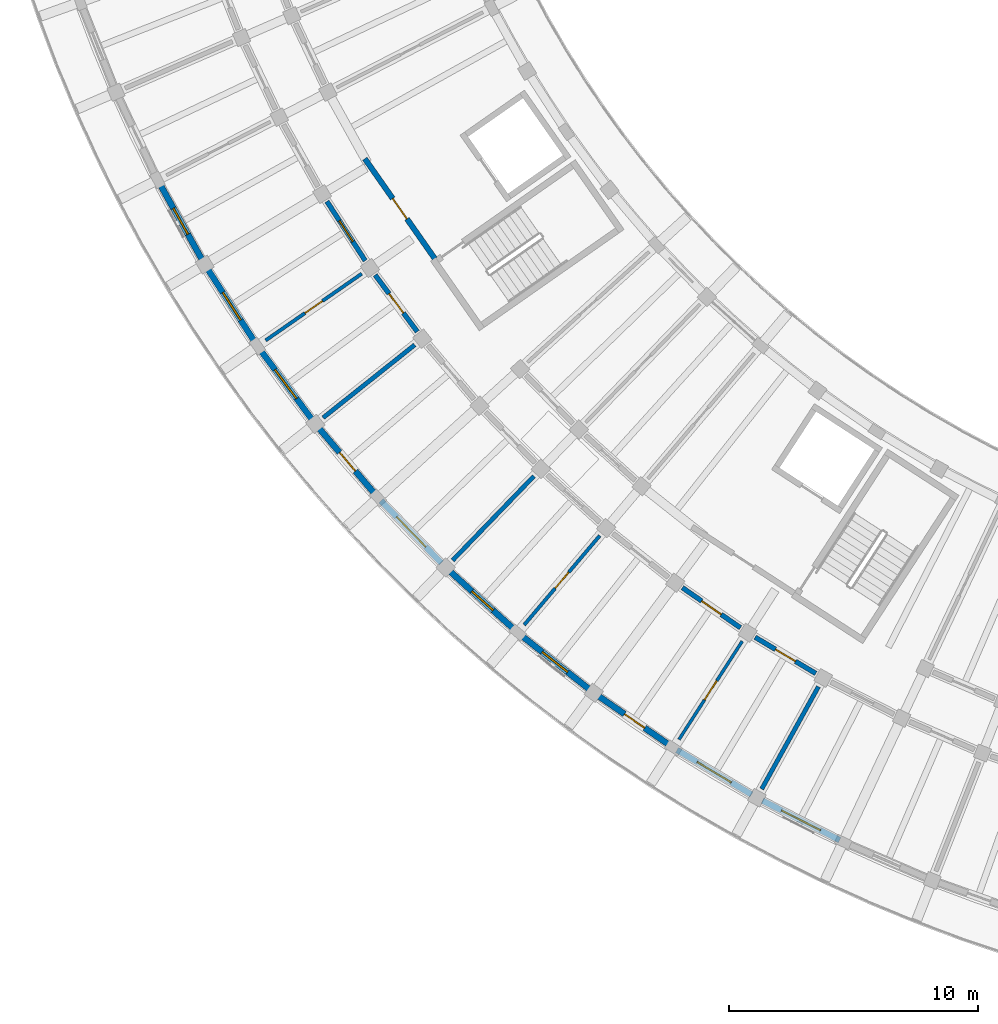
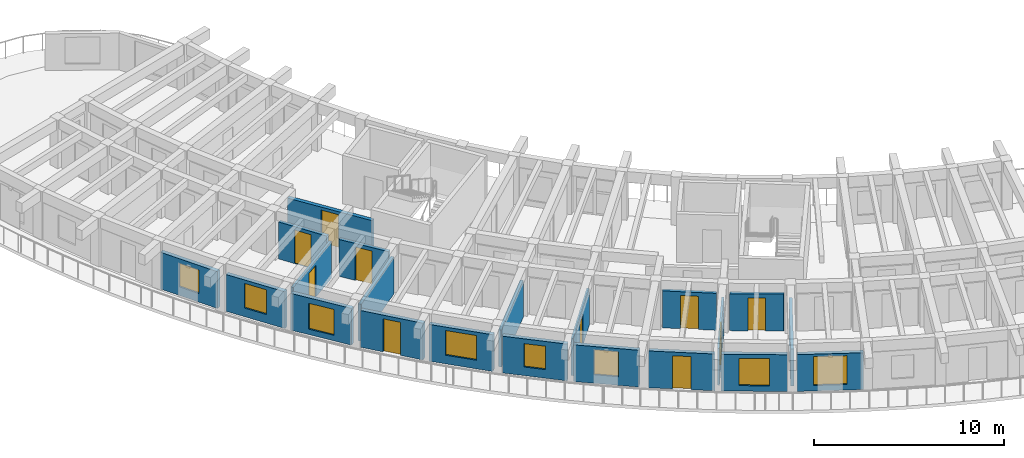
# One storey, part 40 of 81: 21 walls, 10 doors, 8 windows, 18 openings.
"""IFC4 building model written with IfcOpenShell, lengths in metres."""

from ifc_helpers import new_model, si_unit, direction, frame, frame_2d, origin, place, context, subcontext, project, spatial, rectangle, extrude, material, layer, layer_set, type_object, element, fill, save


model = new_model("IFC4")

# Units and contexts
model_context = context("Model", 3, precision=1e-05, world=origin(), true_north=direction((0.0, 1.0)))
body_context = subcontext(model_context, "Body", "Model", "MODEL_VIEW")
ifc_project = project(units=[si_unit("LENGTHUNIT", "METRE"), si_unit("AREAUNIT", "SQUARE_METRE"), si_unit("VOLUMEUNIT", "CUBIC_METRE"), si_unit("PLANEANGLEUNIT", "RADIAN"), si_unit("MASSUNIT", "GRAM", prefix="KILO")], contexts=[model_context])

# Site, building, storey
site_placement = place(None, origin())
site = spatial("IfcSite", under=ifc_project, at=site_placement, CompositionType="ELEMENT")
building_placement = place(site_placement, origin())
building = spatial("IfcBuilding", under=site, at=building_placement, Name="Tanwirah Colonnade Gardens", CompositionType="ELEMENT")
storey_placement = place(building_placement, frame((0.0, 0.0, 8.840087890625)))
storey = spatial("IfcBuildingStorey", under=building, at=storey_placement, Name="L02", CompositionType="ELEMENT", Elevation=8.840087890625)

# Wall, opening, window
ifc_material_1 = material(Name="Limestone architectural precast concrete C40/50", Category="masonry")
ifc_layer_1 = layer(ifc_material_1, 0.2451171875)
ifc_layer_set_1 = layer_set([ifc_layer_1], Name="Limestone architectural precast concrete C40/50")
wall_type_1 = type_object("IfcWallType", Name="EW-PC245", PredefinedType="SOLIDWALL", material=ifc_layer_set_1)
wall_1_placement = place(storey_placement, frame((12.136962890625, 37.09375, 0.0), z_axis=(0.0, 0.0, 1.0), x_axis=(0.486706738221, -0.87356542455, 0.0)))
wall_1 = element("IfcWall", 1, at=wall_1_placement, inside=storey, type_object=wall_type_1, Name="Block C L02 OUT Precast Facade Wall 3", PredefinedType="SOLIDWALL", context=body_context, shape_type="SweptSolid", body=[
    extrude(rectangle(XDim=3.48681640625, YDim=0.2451171875, at=frame_2d((1.743408203125, 0.0))), origin(), (0.0, 0.0, 1.0), 2.35498046875),
])
opening_1_placement = place(wall_1_placement, frame((1.143310546875, 0.0, 0.550048828125)))
opening_1 = element("IfcOpeningElement", 2, at=opening_1_placement, cuts=wall_1, Name="Opening WIN-U02", PredefinedType="OPENING", context=body_context, shape_type="SweptSolid", body=[
    extrude(rectangle(XDim=1.199951171875, YDim=1.510009765625, at=frame_2d((0.60009765625, 0.7548828125))), frame((0.0, 0.132568359375, 0.0), z_axis=(0.0, -1.0, 0.0), x_axis=(1.0, 0.0, 0.0)), (0.0, 0.0, 1.0), 0.26513671875),
])
ifc_material_2 = material(Name="Thermally broken bronze aluminium and solar low-E double glazing", Category="aluminium")
window_type_1 = type_object("IfcWindowType", Name="WIN-U02", PartitioningType="DOUBLE_PANEL_VERTICAL", PredefinedType="WINDOW", material=ifc_material_2)
window_1_placement = place(opening_1_placement, origin())
window_1 = element("IfcWindow", 3, at=window_1_placement, inside=storey, type_object=window_type_1, Name="Facade window C-L02-OUT-03", OverallHeight=1.510009765625, OverallWidth=1.199951171875, PartitioningType="SINGLE_PANEL", PredefinedType="WINDOW", context=body_context, shape_type="SweptSolid", body=[
    extrude(rectangle(XDim=1.199951171875, YDim=1.510009765625, at=frame_2d((0.60009765625, 0.7548828125))), frame((0.0, 0.030029296875, 0.0), z_axis=(0.0, -1.0, 0.0), x_axis=(1.0, 0.0, 0.0)), (0.0, 0.0, 1.0), 0.06005859375),
])
fill(opening_1, window_1)

wall_2_placement = place(storey_placement, frame((14.09130859375, 33.61962890625, 0.0), z_axis=(0.0, 0.0, 1.0), x_axis=(0.542833164741, -0.839840553472, 0.0)))
wall_2 = element("IfcWall", 4, at=wall_2_placement, inside=storey, type_object=wall_type_1, Name="Block C L02 OUT Precast Facade Wall 4", PredefinedType="SOLIDWALL", context=body_context, shape_type="SweptSolid", body=[
    extrude(rectangle(XDim=3.48681640625, YDim=0.2451171875, at=frame_2d((1.743408203125, 0.0))), origin(), (0.0, 0.0, 1.0), 2.35498046875),
])
opening_2_placement = place(wall_2_placement, frame((1.08349609375, 0.0, 0.550048828125)))
opening_2 = element("IfcOpeningElement", 5, at=opening_2_placement, cuts=wall_2, Name="Opening WIN-U05", PredefinedType="OPENING", context=body_context, shape_type="SweptSolid", body=[
    extrude(rectangle(XDim=1.320068359375, YDim=1.5849609375, at=frame_2d((0.66015625, 0.79248046875))), frame((0.0, 0.132568359375, 0.0), z_axis=(0.0, -1.0, 0.0), x_axis=(1.0, 0.0, 0.0)), (0.0, 0.0, 1.0), 0.26513671875),
])
window_type_2 = type_object("IfcWindowType", Name="WIN-U05", PartitioningType="DOUBLE_PANEL_VERTICAL", PredefinedType="WINDOW", material=ifc_material_2)
window_2_placement = place(opening_2_placement, origin())
window_2 = element("IfcWindow", 6, at=window_2_placement, inside=storey, type_object=window_type_2, Name="Facade window C-L02-OUT-04", OverallHeight=1.5849609375, OverallWidth=1.320068359375, PartitioningType="SINGLE_PANEL", PredefinedType="WINDOW", context=body_context, shape_type="SweptSolid", body=[
    extrude(rectangle(XDim=1.320068359375, YDim=1.5849609375, at=frame_2d((0.66015625, 0.79248046875))), frame((0.0, 0.030029296875, 0.0), z_axis=(0.0, -1.0, 0.0), x_axis=(1.0, 0.0, 0.0)), (0.0, 0.0, 1.0), 0.06005859375),
])
fill(opening_2, window_2)

wall_3_placement = place(storey_placement, frame((16.166259765625, 30.42822265625, 0.0), z_axis=(0.0, 0.0, 1.0), x_axis=(0.596611432616, -0.802530247699, 0.0)))
wall_3 = element("IfcWall", 7, at=wall_3_placement, inside=storey, type_object=wall_type_1, Name="Block C L02 OUT Precast Facade Wall 5", PredefinedType="SOLIDWALL", context=body_context, shape_type="SweptSolid", body=[
    extrude(rectangle(XDim=3.48681640625, YDim=0.2451171875, at=frame_2d((1.743408203125, 0.0))), origin(), (0.0, 0.0, 1.0), 2.35498046875),
])
opening_3_placement = place(wall_3_placement, frame((1.0234375, 0.0, 0.35009765625)))
opening_3 = element("IfcOpeningElement", 8, at=opening_3_placement, cuts=wall_3, Name="Opening WIN-U08", PredefinedType="OPENING", context=body_context, shape_type="SweptSolid", body=[
    extrude(rectangle(XDim=1.43994140625, YDim=1.659912109375, at=frame_2d((0.719970703125, 0.830078125))), frame((0.0, 0.132568359375, 0.0), z_axis=(0.0, -1.0, 0.0), x_axis=(1.0, 0.0, 0.0)), (0.0, 0.0, 1.0), 0.26513671875),
])
window_type_3 = type_object("IfcWindowType", Name="WIN-U08", PartitioningType="DOUBLE_PANEL_VERTICAL", PredefinedType="WINDOW", material=ifc_material_2)
window_3_placement = place(opening_3_placement, origin())
window_3 = element("IfcWindow", 9, at=window_3_placement, inside=storey, type_object=window_type_3, Name="Facade window C-L02-OUT-05", OverallHeight=1.659912109375, OverallWidth=1.43994140625, PartitioningType="SINGLE_PANEL", PredefinedType="WINDOW", context=body_context, shape_type="SweptSolid", body=[
    extrude(rectangle(XDim=1.43994140625, YDim=1.659912109375, at=frame_2d((0.719970703125, 0.830078125))), frame((0.0, 0.030029296875, 0.0), z_axis=(0.0, -1.0, 0.0), x_axis=(1.0, 0.0, 0.0)), (0.0, 0.0, 1.0), 0.06005859375),
])
fill(opening_3, window_3)

# Wall, opening, door
wall_4_placement = place(storey_placement, frame((18.5576171875, 27.23876953125, 0.0), z_axis=(0.0, 0.0, 1.0), x_axis=(0.647811002696, -0.761801092665, 0.0)))
wall_4 = element("IfcWall", 10, at=wall_4_placement, inside=storey, type_object=wall_type_1, Name="Block C L02 OUT Precast Facade Wall 6", PredefinedType="SOLIDWALL", context=body_context, shape_type="SweptSolid", body=[
    extrude(rectangle(XDim=3.48681640625, YDim=0.2451171875, at=frame_2d((1.743408203125, 0.0))), origin(), (0.0, 0.0, 1.0), 2.35498046875),
])
opening_4_placement = place(wall_4_placement, frame((1.25341796875, 0.0, 0.0)))
opening_4 = element("IfcOpeningElement", 11, at=opening_4_placement, cuts=wall_4, Name="Opening L02-ED134", PredefinedType="OPENING", context=body_context, shape_type="SweptSolid", body=[
    extrude(rectangle(XDim=0.97998046875, YDim=2.1201171875, at=frame_2d((0.489990234375, 1.06005859375))), frame((0.0, 0.132568359375, 0.0), z_axis=(0.0, -1.0, 0.0), x_axis=(1.0, 0.0, 0.0)), (0.0, 0.0, 1.0), 0.26513671875),
])
ifc_material_3 = material(Name="Bronze aluminium glazed balcony door", Category="aluminium")
door_type_1 = type_object("IfcDoorType", Name="ED-BAL098", OperationType="NOTDEFINED", PredefinedType="DOOR", material=ifc_material_3)
door_1_placement = place(opening_4_placement, origin())
door_1 = element("IfcDoor", 12, at=door_1_placement, inside=storey, type_object=door_type_1, Name="Balcony glazed door L02-ED134", OperationType="SINGLE_SWING_LEFT", OverallHeight=2.1201171875, OverallWidth=0.97998046875, PredefinedType="DOOR", context=body_context, shape_type="SweptSolid", body=[
    extrude(rectangle(XDim=0.97998046875, YDim=2.1201171875, at=frame_2d((0.489990234375, 1.06005859375))), frame((0.0, 0.02490234375, 0.0), z_axis=(0.0, -1.0, 0.0), x_axis=(1.0, 0.0, 0.0)), (0.0, 0.0, 1.0), 0.050048828125),
])
fill(opening_4, door_1)

# Wall, opening, window
wall_5_placement = place(storey_placement, frame((21.031494140625, 24.345703125, 0.0), z_axis=(0.0, 0.0, 1.0), x_axis=(0.696205978342, -0.717842068788, 0.0)))
wall_5 = element("IfcWall", 13, at=wall_5_placement, inside=storey, type_object=wall_type_1, Name="Block C L02 OUT Precast Facade Wall 7", PredefinedType="SOLIDWALL", context=body_context, shape_type="SweptSolid", body=[
    extrude(rectangle(XDim=3.48681640625, YDim=0.2451171875, at=frame_2d((1.743408203125, 0.0))), origin(), (0.0, 0.0, 1.0), 2.35498046875),
])
opening_5_placement = place(wall_5_placement, frame((0.9033203125, 0.0, 0.550048828125)))
opening_5 = element("IfcOpeningElement", 14, at=opening_5_placement, cuts=wall_5, Name="Opening WIN-U14", PredefinedType="OPENING", context=body_context, shape_type="SweptSolid", body=[
    extrude(rectangle(XDim=1.679931640625, YDim=1.5849609375, at=frame_2d((0.83984375, 0.79248046875))), frame((0.0, 0.132568359375, 0.0), z_axis=(0.0, -1.0, 0.0), x_axis=(1.0, 0.0, 0.0)), (0.0, 0.0, 1.0), 0.26513671875),
])
window_type_4 = type_object("IfcWindowType", Name="WIN-U14", PartitioningType="DOUBLE_PANEL_VERTICAL", PredefinedType="WINDOW", material=ifc_material_2)
window_4_placement = place(opening_5_placement, origin())
window_4 = element("IfcWindow", 15, at=window_4_placement, inside=storey, type_object=window_type_4, Name="Facade window C-L02-OUT-07", OverallHeight=1.5849609375, OverallWidth=1.679931640625, PartitioningType="SINGLE_PANEL", PredefinedType="WINDOW", context=body_context, shape_type="SweptSolid", body=[
    extrude(rectangle(XDim=1.679931640625, YDim=1.5849609375, at=frame_2d((0.83984375, 0.79248046875))), frame((0.0, 0.030029296875, 0.0), z_axis=(0.0, -1.0, 0.0), x_axis=(1.0, 0.0, 0.0)), (0.0, 0.0, 1.0), 0.06005859375),
])
fill(opening_5, window_4)

wall_6_placement = place(storey_placement, frame((23.818603515625, 21.49560546875, 0.0), z_axis=(0.0, 0.0, 1.0), x_axis=(0.741648568445, -0.670788641022, 0.0)))
wall_6 = element("IfcWall", 16, at=wall_6_placement, inside=storey, type_object=wall_type_1, Name="Block C L02 OUT Precast Facade Wall 8", PredefinedType="SOLIDWALL", context=body_context, shape_type="SweptSolid", body=[
    extrude(rectangle(XDim=3.48681640625, YDim=0.2451171875, at=frame_2d((1.743408203125, 0.0))), origin(), (0.0, 0.0, 1.0), 2.35498046875),
])
opening_6_placement = place(wall_6_placement, frame((1.16845703125, 0.0, 0.550048828125)))
opening_6 = element("IfcOpeningElement", 17, at=opening_6_placement, cuts=wall_6, Name="Opening WIN-T01", PredefinedType="OPENING", context=body_context, shape_type="SweptSolid", body=[
    extrude(rectangle(XDim=1.14990234375, YDim=1.5, at=frame_2d((0.574951171875, 0.75))), frame((0.0, 0.132568359375, 0.0), z_axis=(0.0, -1.0, 0.0), x_axis=(1.0, 0.0, 0.0)), (0.0, 0.0, 1.0), 0.26513671875),
])
window_type_5 = type_object("IfcWindowType", Name="WIN-T01", PartitioningType="SINGLE_PANEL", PredefinedType="WINDOW", material=ifc_material_2)
window_5_placement = place(opening_6_placement, origin())
window_5 = element("IfcWindow", 18, at=window_5_placement, inside=storey, type_object=window_type_5, Name="Facade window C-L02-OUT-08", OverallHeight=1.5, OverallWidth=1.14990234375, PartitioningType="SINGLE_PANEL", PredefinedType="WINDOW", context=body_context, shape_type="SweptSolid", body=[
    extrude(rectangle(XDim=1.14990234375, YDim=1.5, at=frame_2d((0.574951171875, 0.75))), frame((0.0, 0.030029296875, 0.0), z_axis=(0.0, -1.0, 0.0), x_axis=(1.0, 0.0, 0.0)), (0.0, 0.0, 1.0), 0.06005859375),
])
fill(opening_6, window_5)

wall_7_placement = place(storey_placement, frame((26.648681640625, 18.9501953125, 0.0), z_axis=(0.0, 0.0, 1.0), x_axis=(0.78398760997, -0.620776471376, 0.0)))
wall_7 = element("IfcWall", 19, at=wall_7_placement, inside=storey, type_object=wall_type_1, Name="Block C L02 OUT Precast Facade Wall 9", PredefinedType="SOLIDWALL", context=body_context, shape_type="SweptSolid", body=[
    extrude(rectangle(XDim=3.48681640625, YDim=0.2451171875, at=frame_2d((1.743408203125, 0.0))), origin(), (0.0, 0.0, 1.0), 2.35498046875),
])
opening_7_placement = place(wall_7_placement, frame((1.093505859375, 0.0, 0.550048828125)))
opening_7 = element("IfcOpeningElement", 20, at=opening_7_placement, cuts=wall_7, Name="Opening WIN-T04", PredefinedType="OPENING", context=body_context, shape_type="SweptSolid", body=[
    extrude(rectangle(XDim=1.300048828125, YDim=1.60009765625, at=frame_2d((0.64990234375, 0.800048828125))), frame((0.0, 0.132568359375, 0.0), z_axis=(0.0, -1.0, 0.0), x_axis=(1.0, 0.0, 0.0)), (0.0, 0.0, 1.0), 0.26513671875),
])
window_type_6 = type_object("IfcWindowType", Name="WIN-T04", PartitioningType="DOUBLE_PANEL_VERTICAL", PredefinedType="WINDOW", material=ifc_material_2)
window_6_placement = place(opening_7_placement, origin())
window_6 = element("IfcWindow", 21, at=window_6_placement, inside=storey, type_object=window_type_6, Name="Facade window C-L02-OUT-09", OverallHeight=1.60009765625, OverallWidth=1.300048828125, PartitioningType="SINGLE_PANEL", PredefinedType="WINDOW", context=body_context, shape_type="SweptSolid", body=[
    extrude(rectangle(XDim=1.300048828125, YDim=1.60009765625, at=frame_2d((0.64990234375, 0.800048828125))), frame((0.0, 0.030029296875, 0.0), z_axis=(0.0, -1.0, 0.0), x_axis=(1.0, 0.0, 0.0)), (0.0, 0.0, 1.0), 0.06005859375),
])
fill(opening_7, window_6)

# Wall, opening, door
wall_8_placement = place(storey_placement, frame((29.783935546875, 16.48828125, 0.0), z_axis=(0.0, 0.0, 1.0), x_axis=(0.822902356734, -0.568182815017, 0.0)))
wall_8 = element("IfcWall", 22, at=wall_8_placement, inside=storey, type_object=wall_type_1, Name="Block C L02 OUT Precast Facade Wall 10", PredefinedType="SOLIDWALL", context=body_context, shape_type="SweptSolid", body=[
    extrude(rectangle(XDim=3.48681640625, YDim=0.2451171875, at=frame_2d((1.743408203125, 0.0))), origin(), (0.0, 0.0, 1.0), 2.35498046875),
])
opening_8_placement = place(wall_8_placement, frame((1.25341796875, 0.0, 0.0)))
opening_8 = element("IfcOpeningElement", 23, at=opening_8_placement, cuts=wall_8, Name="Opening L02-ED135", PredefinedType="OPENING", context=body_context, shape_type="SweptSolid", body=[
    extrude(rectangle(XDim=0.97998046875, YDim=2.1201171875, at=frame_2d((0.489990234375, 1.06005859375))), frame((0.0, 0.132568359375, 0.0), z_axis=(0.0, -1.0, 0.0), x_axis=(1.0, 0.0, 0.0)), (0.0, 0.0, 1.0), 0.26513671875),
])
door_2_placement = place(opening_8_placement, origin())
door_2 = element("IfcDoor", 24, at=door_2_placement, inside=storey, type_object=door_type_1, Name="Balcony glazed door L02-ED135", OperationType="SINGLE_SWING_LEFT", OverallHeight=2.1201171875, OverallWidth=0.97998046875, PredefinedType="DOOR", context=body_context, shape_type="SweptSolid", body=[
    extrude(rectangle(XDim=0.97998046875, YDim=2.1201171875, at=frame_2d((0.489990234375, 1.06005859375))), frame((0.0, 0.02490234375, 0.0), z_axis=(0.0, -1.0, 0.0), x_axis=(1.0, 0.0, 0.0)), (0.0, 0.0, 1.0), 0.050048828125),
])
fill(opening_8, door_2)

# Wall, opening, window
wall_9_placement = place(storey_placement, frame((32.92236328125, 14.333984375, 0.0), z_axis=(0.0, 0.0, 1.0), x_axis=(0.858288874148, -0.513166842766, 0.0)))
wall_9 = element("IfcWall", 25, at=wall_9_placement, inside=storey, type_object=wall_type_1, Name="Block C L02 OUT Precast Facade Wall 11", PredefinedType="SOLIDWALL", context=body_context, shape_type="SweptSolid", body=[
    extrude(rectangle(XDim=3.48681640625, YDim=0.2451171875, at=frame_2d((1.743408203125, 0.0))), origin(), (0.0, 0.0, 1.0), 2.35498046875),
])
opening_9_placement = place(wall_9_placement, frame((0.943359375, 0.0, 0.35009765625)))
opening_9 = element("IfcOpeningElement", 26, at=opening_9_placement, cuts=wall_9, Name="Opening WIN-T10", PredefinedType="OPENING", context=body_context, shape_type="SweptSolid", body=[
    extrude(rectangle(XDim=1.60009765625, YDim=1.75, at=frame_2d((0.800048828125, 0.875))), frame((0.0, 0.132568359375, 0.0), z_axis=(0.0, -1.0, 0.0), x_axis=(1.0, 0.0, 0.0)), (0.0, 0.0, 1.0), 0.26513671875),
])
window_type_7 = type_object("IfcWindowType", Name="WIN-T10", PartitioningType="DOUBLE_PANEL_VERTICAL", PredefinedType="WINDOW", material=ifc_material_2)
window_7_placement = place(opening_9_placement, origin())
window_7 = element("IfcWindow", 27, at=window_7_placement, inside=storey, type_object=window_type_7, Name="Facade window C-L02-OUT-11", OverallHeight=1.75, OverallWidth=1.60009765625, PartitioningType="SINGLE_PANEL", PredefinedType="WINDOW", context=body_context, shape_type="SweptSolid", body=[
    extrude(rectangle(XDim=1.60009765625, YDim=1.75, at=frame_2d((0.800048828125, 0.875))), frame((0.0, 0.030029296875, 0.0), z_axis=(0.0, -1.0, 0.0), x_axis=(1.0, 0.0, 0.0)), (0.0, 0.0, 1.0), 0.06005859375),
])
fill(opening_9, window_7)

wall_10_placement = place(storey_placement, frame((36.35205078125, 12.302490234375, 0.0), z_axis=(0.0, 0.0, 1.0), x_axis=(0.890001092753, -0.45595839163, 0.0)))
wall_10 = element("IfcWall", 28, at=wall_10_placement, inside=storey, type_object=wall_type_1, Name="Block C L02 OUT Precast Facade Wall 12", PredefinedType="SOLIDWALL", context=body_context, shape_type="SweptSolid", body=[
    extrude(rectangle(XDim=3.48681640625, YDim=0.2451171875, at=frame_2d((1.743408203125, 0.0))), origin(), (0.0, 0.0, 1.0), 2.35498046875),
])
opening_10_placement = place(wall_10_placement, frame((0.868408203125, 0.0, 0.35009765625)))
opening_10 = element("IfcOpeningElement", 29, at=opening_10_placement, cuts=wall_10, Name="Opening WIN-T13", PredefinedType="OPENING", context=body_context, shape_type="SweptSolid", body=[
    extrude(rectangle(XDim=1.75, YDim=1.85009765625, at=frame_2d((0.875, 0.925048828125))), frame((0.0, 0.132568359375, 0.0), z_axis=(0.0, -1.0, 0.0), x_axis=(1.0, 0.0, 0.0)), (0.0, 0.0, 1.0), 0.26513671875),
])
window_type_8 = type_object("IfcWindowType", Name="WIN-T13", PartitioningType="TRIPLE_PANEL_VERTICAL", PredefinedType="WINDOW", material=ifc_material_2)
window_8_placement = place(opening_10_placement, origin())
window_8 = element("IfcWindow", 30, at=window_8_placement, inside=storey, type_object=window_type_8, Name="Facade window C-L02-OUT-12", OverallHeight=1.85009765625, OverallWidth=1.75, PartitioningType="SINGLE_PANEL", PredefinedType="WINDOW", context=body_context, shape_type="SweptSolid", body=[
    extrude(rectangle(XDim=1.75, YDim=1.85009765625, at=frame_2d((0.875, 0.925048828125))), frame((0.0, 0.030029296875, 0.0), z_axis=(0.0, -1.0, 0.0), x_axis=(1.0, 0.0, 0.0)), (0.0, 0.0, 1.0), 0.06005859375),
])
fill(opening_10, window_8)

# Wall, opening, door
ifc_material_4 = material(Name="Precast concrete C40/50", Category="concrete")
ifc_layer_2 = layer(ifc_material_4, 0.195068359375)
ifc_layer_set_2 = layer_set([ifc_layer_2], Name="Precast concrete C40/50")
wall_type_2 = type_object("IfcWallType", Name="IW-CORR195", PredefinedType="PARTITIONING", material=ifc_layer_set_2)
wall_11_placement = place(storey_placement, frame((18.860107421875, 36.3681640625, 0.0), z_axis=(0.0, 0.0, 1.0), x_axis=(0.542787304957, -0.83987019329, 0.0)))
wall_11 = element("IfcWall", 31, at=wall_11_placement, inside=storey, type_object=wall_type_2, Name="Block C L02 OUT Corridor Wall 4", PredefinedType="PARTITIONING", context=body_context, shape_type="SweptSolid", body=[
    extrude(rectangle(XDim=2.8369140625, YDim=0.195068359375, at=frame_2d((1.41845703125, 0.0))), origin(), (0.0, 0.0, 1.0), 2.369873046875),
])
opening_11_placement = place(wall_11_placement, frame((0.923583984375, 0.0, 0.0)))
opening_11 = element("IfcOpeningElement", 32, at=opening_11_placement, cuts=wall_11, Name="Opening L02-AD1363", PredefinedType="OPENING", context=body_context, shape_type="SweptSolid", body=[
    extrude(rectangle(XDim=0.989990234375, YDim=2.159912109375, at=frame_2d((0.4951171875, 1.080078125))), frame((0.0, 0.107421875, 0.0), z_axis=(0.0, -1.0, 0.0), x_axis=(1.0, 0.0, 0.0)), (0.0, 0.0, 1.0), 0.215087890625),
])
ifc_material_5 = material(Name="Solid oak fire-resisting apartment entrance door")
door_type_2 = type_object("IfcDoorType", Name="ID-FLT099", OperationType="NOTDEFINED", PredefinedType="DOOR", material=ifc_material_5)
door_3_placement = place(opening_11_placement, origin())
door_3 = element("IfcDoor", 33, at=door_3_placement, inside=storey, type_object=door_type_2, Name="Apartment corridor door L02-AD1363", OperationType="SINGLE_SWING_LEFT", OverallHeight=2.159912109375, OverallWidth=0.989990234375, PredefinedType="DOOR", context=body_context, shape_type="SweptSolid", body=[
    extrude(rectangle(XDim=0.989990234375, YDim=2.159912109375, at=frame_2d((0.4951171875, 1.080078125))), frame((0.0, 0.02490234375, 0.0), z_axis=(0.0, -1.0, 0.0), x_axis=(1.0, 0.0, 0.0)), (0.0, 0.0, 1.0), 0.050048828125),
])
fill(opening_11, door_3)

wall_12_placement = place(storey_placement, frame((20.798828125, 33.410888671875, 0.0), z_axis=(0.0, 0.0, 1.0), x_axis=(0.596552136601, -0.802574325727, 0.0)))
wall_12 = element("IfcWall", 34, at=wall_12_placement, inside=storey, type_object=wall_type_2, Name="Block C L02 OUT Corridor Wall 5", PredefinedType="PARTITIONING", context=body_context, shape_type="SweptSolid", body=[
    extrude(rectangle(XDim=2.8369140625, YDim=0.195068359375, at=frame_2d((1.41845703125, 0.0))), origin(), (0.0, 0.0, 1.0), 2.369873046875),
])
opening_12_placement = place(wall_12_placement, frame((0.93359375, 0.0, 0.0)))
opening_12 = element("IfcOpeningElement", 35, at=opening_12_placement, cuts=wall_12, Name="Opening L02-AD1365", PredefinedType="OPENING", context=body_context, shape_type="SweptSolid", body=[
    extrude(rectangle(XDim=0.969970703125, YDim=2.14990234375, at=frame_2d((0.48486328125, 1.074951171875))), frame((0.0, 0.107421875, 0.0), z_axis=(0.0, -1.0, 0.0), x_axis=(1.0, 0.0, 0.0)), (0.0, 0.0, 1.0), 0.215087890625),
])
door_type_3 = type_object("IfcDoorType", Name="ID-FLT097", OperationType="NOTDEFINED", PredefinedType="DOOR", material=ifc_material_5)
door_4_placement = place(opening_12_placement, origin())
door_4 = element("IfcDoor", 36, at=door_4_placement, inside=storey, type_object=door_type_3, Name="Apartment corridor door L02-AD1365", OperationType="SINGLE_SWING_RIGHT", OverallHeight=2.14990234375, OverallWidth=0.969970703125, PredefinedType="DOOR", context=body_context, shape_type="SweptSolid", body=[
    extrude(rectangle(XDim=0.969970703125, YDim=2.14990234375, at=frame_2d((0.48486328125, 1.074951171875))), frame((0.0, 0.02490234375, 0.0), z_axis=(0.0, -1.0, 0.0), x_axis=(1.0, 0.0, 0.0)), (0.0, 0.0, 1.0), 0.050048828125),
])
fill(opening_12, door_4)

wall_13_placement = place(storey_placement, frame((33.137939453125, 20.852783203125, 0.0), z_axis=(0.0, 0.0, 1.0), x_axis=(0.822870075235, -0.568229565653, 0.0)))
wall_13 = element("IfcWall", 37, at=wall_13_placement, inside=storey, type_object=wall_type_2, Name="Block C L02 OUT Corridor Wall 10", PredefinedType="PARTITIONING", context=body_context, shape_type="SweptSolid", body=[
    extrude(rectangle(XDim=2.8369140625, YDim=0.195068359375, at=frame_2d((1.41845703125, 0.0))), origin(), (0.0, 0.0, 1.0), 2.369873046875),
])
opening_13_placement = place(wall_13_placement, frame((0.943603515625, 0.0, 0.0)))
opening_13 = element("IfcOpeningElement", 38, at=opening_13_placement, cuts=wall_13, Name="Opening L02-AD1376", PredefinedType="OPENING", context=body_context, shape_type="SweptSolid", body=[
    extrude(rectangle(XDim=0.949951171875, YDim=2.1298828125, at=frame_2d((0.47509765625, 1.06494140625))), frame((0.0, 0.107421875, 0.0), z_axis=(0.0, -1.0, 0.0), x_axis=(1.0, 0.0, 0.0)), (0.0, 0.0, 1.0), 0.215087890625),
])
door_type_4 = type_object("IfcDoorType", Name="ID-FLT095", OperationType="NOTDEFINED", PredefinedType="DOOR", material=ifc_material_5)
door_5_placement = place(opening_13_placement, origin())
door_5 = element("IfcDoor", 39, at=door_5_placement, inside=storey, type_object=door_type_4, Name="Apartment corridor door L02-AD1376", OperationType="SINGLE_SWING_LEFT", OverallHeight=2.1298828125, OverallWidth=0.949951171875, PredefinedType="DOOR", context=body_context, shape_type="SweptSolid", body=[
    extrude(rectangle(XDim=0.949951171875, YDim=2.1298828125, at=frame_2d((0.47509765625, 1.06494140625))), frame((0.0, 0.02490234375, 0.0), z_axis=(0.0, -1.0, 0.0), x_axis=(1.0, 0.0, 0.0)), (0.0, 0.0, 1.0), 0.050048828125),
])
fill(opening_13, door_5)

wall_14_placement = place(storey_placement, frame((36.060791015625, 18.8623046875, 0.0), z_axis=(0.0, 0.0, 1.0), x_axis=(0.858281647443, -0.51317892948, 0.0)))
wall_14 = element("IfcWall", 40, at=wall_14_placement, inside=storey, type_object=wall_type_2, Name="Block C L02 OUT Corridor Wall 11", PredefinedType="PARTITIONING", context=body_context, shape_type="SweptSolid", body=[
    extrude(rectangle(XDim=2.8369140625, YDim=0.195068359375, at=frame_2d((1.41845703125, 0.0))), origin(), (0.0, 0.0, 1.0), 2.369873046875),
])
opening_14_placement = place(wall_14_placement, frame((0.95361328125, 0.0, 0.0)))
opening_14 = element("IfcOpeningElement", 41, at=opening_14_placement, cuts=wall_14, Name="Opening L02-AD1378", PredefinedType="OPENING", context=body_context, shape_type="SweptSolid", body=[
    extrude(rectangle(XDim=0.929931640625, YDim=2.1201171875, at=frame_2d((0.46484375, 1.06005859375))), frame((0.0, 0.107421875, 0.0), z_axis=(0.0, -1.0, 0.0), x_axis=(1.0, 0.0, 0.0)), (0.0, 0.0, 1.0), 0.215087890625),
])
door_type_5 = type_object("IfcDoorType", Name="ID-FLT093", OperationType="NOTDEFINED", PredefinedType="DOOR", material=ifc_material_5)
door_6_placement = place(opening_14_placement, origin())
door_6 = element("IfcDoor", 42, at=door_6_placement, inside=storey, type_object=door_type_5, Name="Apartment corridor door L02-AD1378", OperationType="SINGLE_SWING_RIGHT", OverallHeight=2.1201171875, OverallWidth=0.929931640625, PredefinedType="DOOR", context=body_context, shape_type="SweptSolid", body=[
    extrude(rectangle(XDim=0.929931640625, YDim=2.1201171875, at=frame_2d((0.46484375, 1.06005859375))), frame((0.0, 0.02490234375, 0.0), z_axis=(0.0, -1.0, 0.0), x_axis=(1.0, 0.0, 0.0)), (0.0, 0.0, 1.0), 0.050048828125),
])
fill(opening_14, door_6)

# Walls
ifc_layer_3 = layer(ifc_material_4, 0.175048828125)
ifc_layer_set_3 = layer_set([ifc_layer_3], Name="Precast concrete C40/50")
wall_type_3 = type_object("IfcWallType", Name="IW-DEM175", PredefinedType="PARTITIONING", material=ifc_layer_set_3)
for number, where, z_axis, x_axis, name in (
    (43, (22.386962890625, 30.60400390625, 0.0), (0.0, 0.0, 1.0), (-0.782609106384, -0.622513442911, 0.0), "Block C L02 Radial Partition 5"),
    (44, (27.17578125, 25.33203125, 0.0), (0.0, 0.0, 1.0), (-0.69466218314, -0.719336118456, 0.0), "Block C L02 Radial Partition 7"),
    (45, (38.60205078125, 16.876953125, 0.0), (0.0, 0.0, 1.0), (-0.484813534336, -0.874617537513, 0.0), "Block C L02 Radial Partition 11"),
):
    element("IfcWall", number, at=place(storey_placement, frame(where, z_axis=z_axis, x_axis=x_axis)), inside=storey, type_object=wall_type_3, Name=name, PredefinedType="PARTITIONING", context=body_context, shape_type="SweptSolid", body=[
        extrude(rectangle(XDim=4.699951171875, YDim=0.175048828125, at=frame_2d((2.35009765625, 0.0))), origin(), (0.0, 0.0, 1.0), 2.369873046875),
    ])

# Wall, opening, door
ifc_material_6 = material(Name="Autoclaved aerated masonry blockwork", Category="masonry")
ifc_layer_4 = layer(ifc_material_6, 0.219970703125)
ifc_layer_set_4 = layer_set([ifc_layer_4], Name="Autoclaved aerated masonry blockwork")
wall_type_4 = type_object("IfcWallType", Name="IW-FFL220", PredefinedType="PARTITIONING", material=ifc_layer_set_4)
wall_15_placement = place(storey_placement, frame((23.19482421875, 34.06787109375, 0.0), z_axis=(0.0, 0.0, 1.0), x_axis=(-0.573572687386, 0.819154669329, 0.0)))
wall_15 = element("IfcWall", 46, at=wall_15_placement, inside=storey, type_object=wall_type_4, Name="CORE-C1 L02 Enclosed Lobby Fire Wall", PredefinedType="PARTITIONING", context=body_context, shape_type="SweptSolid", body=[
    extrude(rectangle(XDim=4.900146484375, YDim=0.219970703125, at=frame_2d((2.4501953125, 0.0))), origin(), (0.0, 0.0, 1.0), 2.33984375),
])
opening_15_placement = place(wall_15_placement, frame((1.949951171875, 0.0, 0.0)))
opening_15 = element("IfcOpeningElement", 47, at=opening_15_placement, cuts=wall_15, Name="Opening L02-LD136", PredefinedType="OPENING", context=body_context, shape_type="SweptSolid", body=[
    extrude(rectangle(XDim=1.0, YDim=2.14990234375, at=frame_2d((0.5, 1.074951171875))), frame((0.0, 0.119873046875, 0.0), z_axis=(0.0, -1.0, 0.0), x_axis=(1.0, 0.0, 0.0)), (0.0, 0.0, 1.0), 0.239990234375),
])
ifc_material_7 = material(Name="Acoustic fire-resisting lobby door")
door_type_6 = type_object("IfcDoorType", Name="ID-FFL100", OperationType="NOTDEFINED", PredefinedType="DOOR", material=ifc_material_7)
door_7_placement = place(opening_15_placement, origin())
door_7 = element("IfcDoor", 48, at=door_7_placement, inside=storey, type_object=door_type_6, Name="CORE-C1 L02 Lobby Fire Door L02-LD136", OperationType="SINGLE_SWING_LEFT", OverallHeight=2.14990234375, OverallWidth=1.0, PredefinedType="DOOR", context=body_context, shape_type="SweptSolid", body=[
    extrude(rectangle(XDim=1.0, YDim=2.14990234375, at=frame_2d((0.5, 1.074951171875))), frame((0.0, 0.02490234375, 0.0), z_axis=(0.0, -1.0, 0.0), x_axis=(1.0, 0.0, 0.0)), (0.0, 0.0, 1.0), 0.050048828125),
])
fill(opening_15, door_7)

ifc_material_8 = material(Name="Moisture-resistant gypsum stud partition")
ifc_layer_5 = layer(ifc_material_8, 0.125)
ifc_layer_set_5 = layer_set([ifc_layer_5], Name="Moisture-resistant gypsum stud partition")
wall_type_5 = type_object("IfcWallType", Name="IW-INT125", PredefinedType="PARTITIONING", material=ifc_layer_set_5)
wall_16_placement = place(storey_placement, frame((35.5439453125, 18.705322265625, 0.0), z_axis=(0.0, 0.0, 1.0), x_axis=(-0.540959731567, -0.84104849374, 0.0)))
wall_16 = element("IfcWall", 49, at=wall_16_placement, inside=storey, type_object=wall_type_5, Name="Block C L02 Radial Partition 10", PredefinedType="PARTITIONING", context=body_context, shape_type="SweptSolid", body=[
    extrude(rectangle(XDim=4.699951171875, YDim=0.125, at=frame_2d((2.35009765625, 0.0))), origin(), (0.0, 0.0, 1.0), 2.369873046875),
])
opening_16_placement = place(wall_16_placement, frame((1.89501953125, 0.0, 0.0)))
opening_16 = element("IfcOpeningElement", 50, at=opening_16_placement, cuts=wall_16, Name="Opening L02-RD1377", PredefinedType="OPENING", context=body_context, shape_type="SweptSolid", body=[
    extrude(rectangle(XDim=0.909912109375, YDim=2.10009765625, at=frame_2d((0.455078125, 1.050048828125))), frame((0.0, 0.072509765625, 0.0), z_axis=(0.0, -1.0, 0.0), x_axis=(1.0, 0.0, 0.0)), (0.0, 0.0, 1.0), 0.14501953125),
])
ifc_material_9 = material(Name="Painted hardwood internal room door", Category="wood")
door_type_7 = type_object("IfcDoorType", Name="ID-RM091", OperationType="NOTDEFINED", PredefinedType="DOOR", material=ifc_material_9)
door_8_placement = place(opening_16_placement, origin())
door_8 = element("IfcDoor", 51, at=door_8_placement, inside=storey, type_object=door_type_7, Name="Internal apartment door L02-RD1377", OperationType="SINGLE_SWING_LEFT", OverallHeight=2.10009765625, OverallWidth=0.909912109375, PredefinedType="DOOR", context=body_context, shape_type="SweptSolid", body=[
    extrude(rectangle(XDim=0.909912109375, YDim=2.10009765625, at=frame_2d((0.455078125, 1.050048828125))), frame((0.0, 0.02490234375, 0.0), z_axis=(0.0, -1.0, 0.0), x_axis=(1.0, 0.0, 0.0)), (0.0, 0.0, 1.0), 0.050048828125),
])
fill(opening_16, door_8)

ifc_material_10 = material(Name="Water-resistant acoustic plumbing partition")
ifc_layer_6 = layer(ifc_material_10, 0.139892578125)
ifc_layer_set_6 = layer_set([ifc_layer_6], Name="Water-resistant acoustic plumbing partition")
wall_type_6 = type_object("IfcWallType", Name="IW-WET140", PredefinedType="PLUMBINGWALL", material=ifc_layer_set_6)
wall_17_placement = place(storey_placement, frame((20.26123046875, 33.463623046875, 0.0), z_axis=(0.0, 0.0, 1.0), x_axis=(-0.821638260647, -0.570009270663, 0.0)))
wall_17 = element("IfcWall", 52, at=wall_17_placement, inside=storey, type_object=wall_type_6, Name="Block C L02 Radial Partition 4", PredefinedType="PLUMBINGWALL", context=body_context, shape_type="SweptSolid", body=[
    extrude(rectangle(XDim=4.699951171875, YDim=0.139892578125, at=frame_2d((2.35009765625, 0.0))), origin(), (0.0, 0.0, 1.0), 2.369873046875),
])
opening_17_placement = place(wall_17_placement, frame((1.925048828125, 0.0, 0.0)))
opening_17 = element("IfcOpeningElement", 53, at=opening_17_placement, cuts=wall_17, Name="Opening L02-RD1364", PredefinedType="OPENING", context=body_context, shape_type="SweptSolid", body=[
    extrude(rectangle(XDim=0.85009765625, YDim=2.050048828125, at=frame_2d((0.425048828125, 1.02490234375))), frame((0.0, 0.079833984375, 0.0), z_axis=(0.0, -1.0, 0.0), x_axis=(1.0, 0.0, 0.0)), (0.0, 0.0, 1.0), 0.159912109375),
])
ifc_material_11 = material(Name="Moisture-resistant en-suite door")
door_type_8 = type_object("IfcDoorType", Name="ID-WET085", OperationType="NOTDEFINED", PredefinedType="DOOR", material=ifc_material_11)
door_9_placement = place(opening_17_placement, origin())
door_9 = element("IfcDoor", 54, at=door_9_placement, inside=storey, type_object=door_type_8, Name="Internal apartment door L02-RD1364", OperationType="SINGLE_SWING_LEFT", OverallHeight=2.050048828125, OverallWidth=0.85009765625, PredefinedType="DOOR", context=body_context, shape_type="SweptSolid", body=[
    extrude(rectangle(XDim=0.85009765625, YDim=2.050048828125, at=frame_2d((0.425048828125, 1.02490234375))), frame((0.0, 0.02490234375, 0.0), z_axis=(0.0, -1.0, 0.0), x_axis=(1.0, 0.0, 0.0)), (0.0, 0.0, 1.0), 0.050048828125),
])
fill(opening_17, door_9)

wall_18_placement = place(storey_placement, frame((29.818603515625, 22.94189453125, 0.0), z_axis=(0.0, 0.0, 1.0), x_axis=(-0.646137818229, -0.76322075434, 0.0)))
wall_18 = element("IfcWall", 55, at=wall_18_placement, inside=storey, type_object=wall_type_6, Name="Block C L02 Radial Partition 8", PredefinedType="PLUMBINGWALL", context=body_context, shape_type="SweptSolid", body=[
    extrude(rectangle(XDim=4.699951171875, YDim=0.139892578125, at=frame_2d((2.35009765625, 0.0))), origin(), (0.0, 0.0, 1.0), 2.369873046875),
])
opening_18_placement = place(wall_18_placement, frame((1.925048828125, 0.0, 0.0)))
opening_18 = element("IfcOpeningElement", 56, at=opening_18_placement, cuts=wall_18, Name="Opening L02-RD1373", PredefinedType="OPENING", context=body_context, shape_type="SweptSolid", body=[
    extrude(rectangle(XDim=0.85009765625, YDim=2.050048828125, at=frame_2d((0.425048828125, 1.02490234375))), frame((0.0, 0.079833984375, 0.0), z_axis=(0.0, -1.0, 0.0), x_axis=(1.0, 0.0, 0.0)), (0.0, 0.0, 1.0), 0.159912109375),
])
door_10_placement = place(opening_18_placement, origin())
door_10 = element("IfcDoor", 57, at=door_10_placement, inside=storey, type_object=door_type_8, Name="Internal apartment door L02-RD1373", OperationType="SINGLE_SWING_LEFT", OverallHeight=2.050048828125, OverallWidth=0.85009765625, PredefinedType="DOOR", context=body_context, shape_type="SweptSolid", body=[
    extrude(rectangle(XDim=0.85009765625, YDim=2.050048828125, at=frame_2d((0.425048828125, 1.02490234375))), frame((0.0, 0.02490234375, 0.0), z_axis=(0.0, -1.0, 0.0), x_axis=(1.0, 0.0, 0.0)), (0.0, 0.0, 1.0), 0.050048828125),
])
fill(opening_18, door_10)

save(model, "model.ifc")
